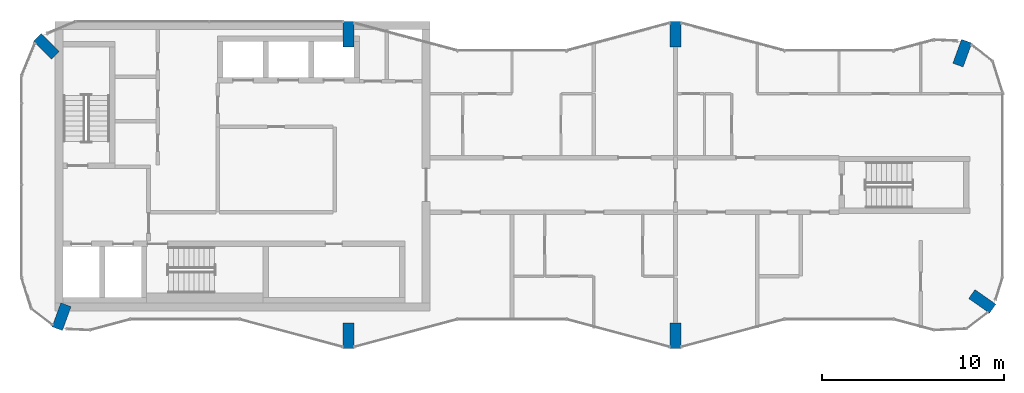
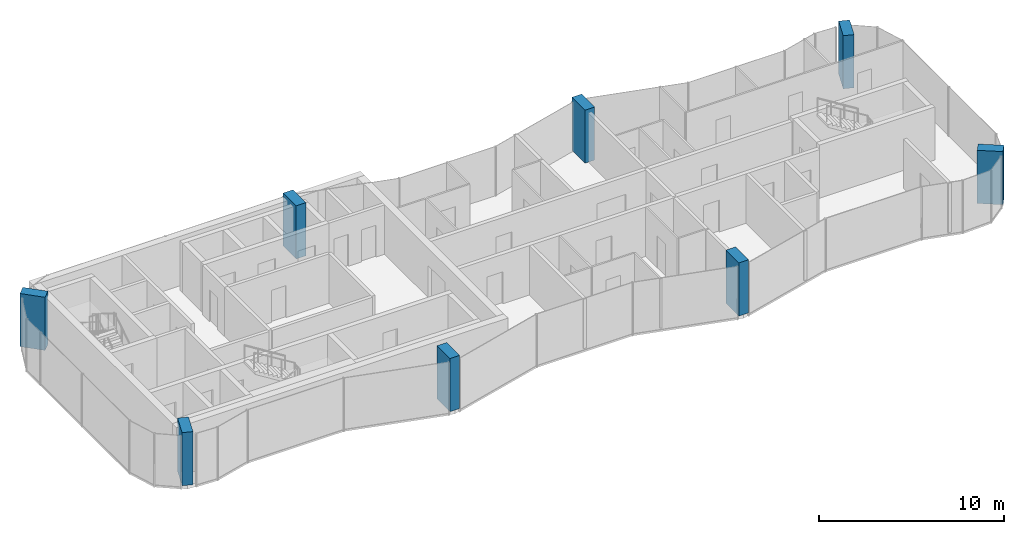
# One storey, part 1 of 10: 8 columns.
"""IFC4 building model written with IfcOpenShell, lengths in metres."""

from ifc_helpers import new_model, si_unit, direction, frame, origin, origin_2d, place, context, subcontext, project, spatial, rectangle, extrude, material, material_profile, profile_set, type_object, element, save


model = new_model("IFC4")

# Units and contexts
model_context = context("Model", 3, precision=1e-05, world=origin(), true_north=direction((0.0, 1.0)))
body_context = subcontext(model_context, "Body", "Model", "MODEL_VIEW")
ifc_project = project(units=[si_unit("LENGTHUNIT", "METRE"), si_unit("AREAUNIT", "SQUARE_METRE"), si_unit("VOLUMEUNIT", "CUBIC_METRE"), si_unit("PLANEANGLEUNIT", "RADIAN"), si_unit("MASSUNIT", "GRAM", prefix="KILO")], contexts=[model_context])

# Site, building, storey
site_placement = place(None, origin())
site = spatial("IfcSite", under=ifc_project, at=site_placement, CompositionType="ELEMENT")
building_placement = place(site_placement, origin())
building = spatial("IfcBuilding", under=site, at=building_placement, Name="Plateau Cross Towers", CompositionType="ELEMENT")
storey_placement = place(building_placement, frame((0.0, 0.0, 280.89990234375)))
storey = spatial("IfcBuildingStorey", under=building, at=storey_placement, Name="L74", CompositionType="ELEMENT", Elevation=280.89990234375)

# Columns
ifc_material = material(Name="Concrete C60/75", Category="concrete")
ifc_material_profile = material_profile(ifc_material, rectangle(XDim=0.60009765625, YDim=1.39990234375, at=origin_2d()), Name="RC 600x1400")
ifc_profile_set = profile_set([ifc_material_profile], Name="Concrete C60/75")
column_type = type_object("IfcColumnType", Name="Fin pier column RC 600x1400", PredefinedType="COLUMN", material=ifc_profile_set)
for number, where, z_axis, x_axis, name in (
    (1, (18.0, 0.699951171875, 0.0), (0.0, 0.0, 1.0), (1.0, 0.0, 0.0), "PR1 L74"),
    (2, (36.0, 0.699951171875, 0.0), (0.0, 0.0, 1.0), (1.0, 0.0, 0.0), "PR2 L74"),
    (3, (52.884033203125, 2.590087890625, 0.0), (0.0, 0.0, 1.0), (0.573542637991, 0.819175709117, 0.0), "PR3 L74"),
    (4, (51.786865234375, 16.251953125, 0.0), (0.0, 0.0, 1.0), (-0.939664280925, 0.342097996418, 0.0), "PR4 L74"),
    (5, (36.0, 17.300048828125, 0.0), (0.0, 0.0, 1.0), (1.0, 0.0, 0.0), "PR5 L74"),
    (6, (18.0, 17.300048828125, 0.0), (0.0, 0.0, 1.0), (1.0, 0.0, 0.0), "PR13 L74"),
    (7, (1.37353515625, 16.62646484375, 0.0), (0.0, 0.0, 1.0), (0.707106781187, 0.707106781187, 0.0), "PR14 L74"),
    (8, (2.213134765625, 1.748046875, 0.0), (0.0, 0.0, 1.0), (-0.939664280925, 0.342097996418, 0.0), "PR12 L74"),
):
    element("IfcColumn", number, at=place(storey_placement, frame(where, z_axis=z_axis, x_axis=x_axis)), inside=storey, type_object=column_type, Name=name, PredefinedType="COLUMN", context=body_context, shape_type="SweptSolid", body=[
        extrude(rectangle(XDim=0.60009765625, YDim=1.39990234375, at=origin_2d()), origin(), (0.0, 0.0, 1.0), 3.5),
    ])

save(model, "model.ifc")
